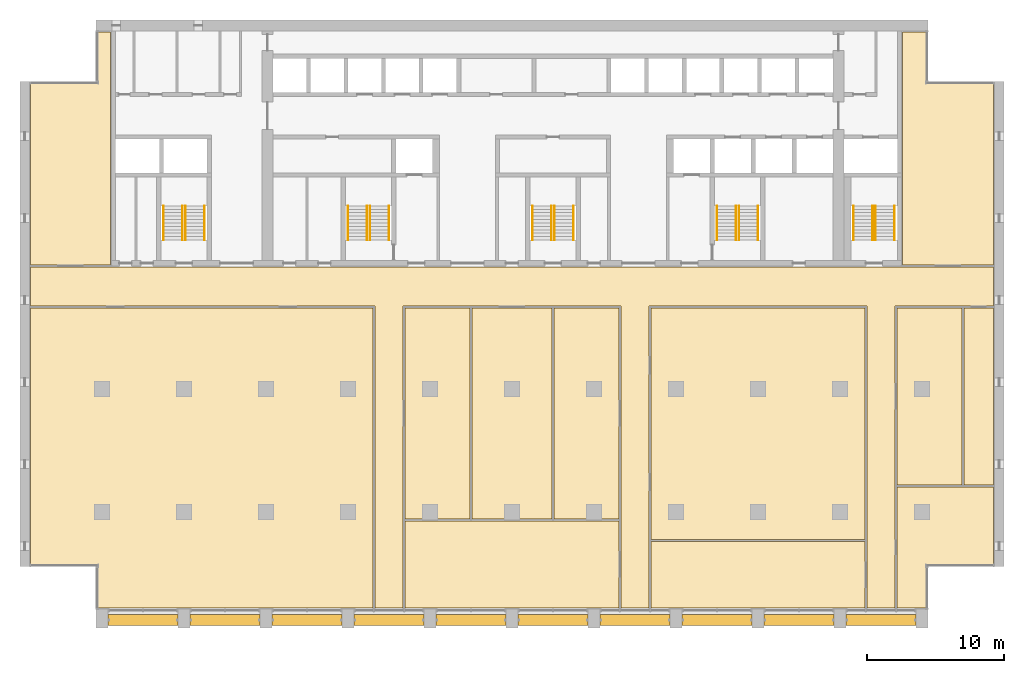
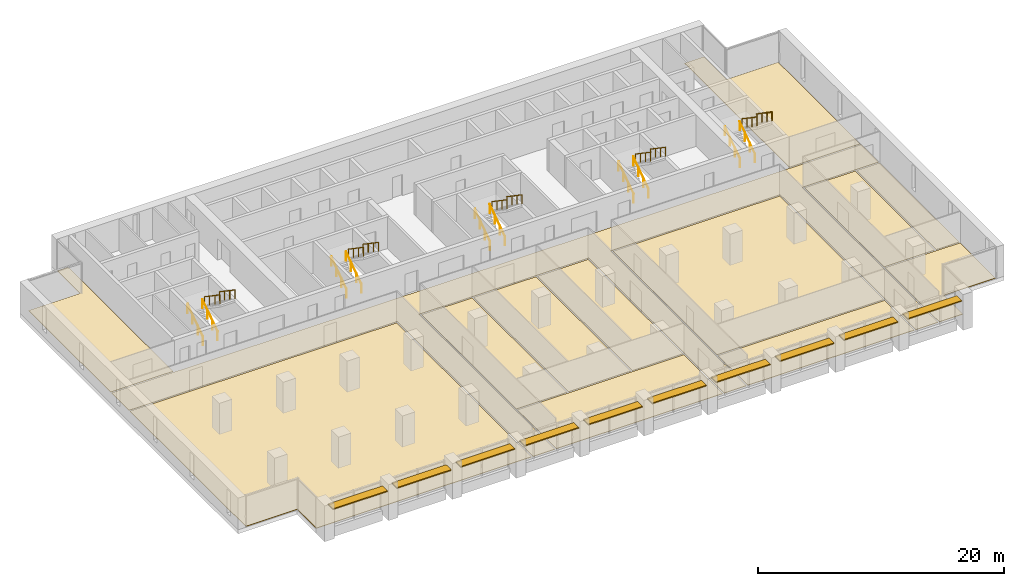
# One storey, part 15 of 15: 20 railings, 13 coverings, 10 shading devices, 5 elements without a shape of their own.
"""IFC4 building model written with IfcOpenShell, lengths in metres."""

import ifcopenshell
import ifcopenshell.guid

model = None  # the IFC model being written
_history = None  # IfcOwnerHistory: only IFC2X3 demands one
_inside = {}  # id of a spatial element -> (the spatial element, [elements in it])
_under = {}  # id of a project, library or spatial element -> (it, [spatial elements below it])
_declared = {}  # id of a project -> (the project, [libraries it declares])
_typed = {}  # id of a type object -> (the type object, [elements of that type])
_made_of = {}  # id of a material, layer set ... -> (it, [elements and type objects made of it])


def new_model(schema):
    """Start an empty IFC model of exactly this schema.

    Asked for "IFC4X3", IfcOpenShell would pick the latest addendum, in which some entities
    have other attributes; the version numbers below select the first issue.
    IFC2X3 requires an IfcOwnerHistory on every rooted entity: one is made here for all.
    """
    global model, _history
    if schema == "IFC4X3":
        model = ifcopenshell.file(schema_version=(4, 3, 0, 0))
    else:
        model = ifcopenshell.file(schema=schema)
    _inside.clear()
    _under.clear()
    _declared.clear()
    _typed.clear()
    _made_of.clear()
    _history = None
    if model.schema == "IFC2X3":
        org = make("IfcOrganization", Name="unknown")
        user = make(
            "IfcPersonAndOrganization",
            ThePerson=make("IfcPerson", FamilyName="unknown"),
            TheOrganization=org,
        )
        app = make(
            "IfcApplication",
            ApplicationDeveloper=org,
            Version="unknown",
            ApplicationFullName="unknown",
            ApplicationIdentifier="unknown",
        )
        _history = make(
            "IfcOwnerHistory",
            OwningUser=user,
            OwningApplication=app,
            ChangeAction="ADDED",
            CreationDate=0,
        )
    return model


def make(cls, **values):
    """One entity of the class cls with the attributes given. An attribute that is None is left unset."""
    return model.create_entity(
        cls, **{name: value for name, value in values.items() if value is not None}
    )


def rooted(cls, **values):
    """An entity with a GlobalId (a new one), such as an element, a storey or a relation."""
    return make(cls, GlobalId=ifcopenshell.guid.new(), OwnerHistory=_history, **values)


def si_unit(unit_type, name, prefix=None):
    """IfcSIUnit, for example si_unit("LENGTHUNIT", "METRE", prefix="MILLI")."""
    return make("IfcSIUnit", UnitType=unit_type, Prefix=prefix, Name=name)


def assignment(units):
    """IfcUnitAssignment: the units of a project."""
    return None if units is None else make("IfcUnitAssignment", Units=units)


def point(xyz):
    """IfcCartesianPoint."""
    return None if xyz is None else make("IfcCartesianPoint", Coordinates=xyz)


def direction(xyz):
    """IfcDirection."""
    return None if xyz is None else make("IfcDirection", DirectionRatios=xyz)


def frame(location, z_axis=None, x_axis=None):
    """IfcAxis2Placement3D, a coordinate frame: its origin and axes. An axis left out is left unset."""
    return make(
        "IfcAxis2Placement3D",
        Location=point(location),
        Axis=direction(z_axis),
        RefDirection=direction(x_axis),
    )


def frame_2d(location, x_axis=None):
    """IfcAxis2Placement2D, a coordinate frame in the plane: its origin and x axis."""
    return make(
        "IfcAxis2Placement2D", Location=point(location), RefDirection=direction(x_axis)
    )


def origin():
    """The frame at (0, 0, 0) with its axes left unset."""
    return frame((0.0, 0.0, 0.0))


def origin_2d():
    """The frame at (0, 0) in the plane with its x axis left unset."""
    return frame_2d((0.0, 0.0))


def place(relative_to, where):
    """IfcLocalPlacement: puts the frame where relative to a parent placement (None: the world)."""
    return make(
        "IfcLocalPlacement", PlacementRelTo=relative_to, RelativePlacement=where
    )


def context(
    kind, dimensions, precision=None, world=None, true_north=None, identifier=None
):
    """IfcGeometricRepresentationContext, for example the 3D "Model" context."""
    return make(
        "IfcGeometricRepresentationContext",
        ContextIdentifier=identifier,
        ContextType=kind,
        CoordinateSpaceDimension=dimensions,
        Precision=precision,
        WorldCoordinateSystem=world,
        TrueNorth=true_north,
    )


def subcontext(parent, identifier, kind, view, scale=None):
    """IfcGeometricRepresentationSubContext, for example "Body" below "Model"."""
    return make(
        "IfcGeometricRepresentationSubContext",
        ContextIdentifier=identifier,
        ContextType=kind,
        ParentContext=parent,
        TargetScale=scale,
        TargetView=view,
    )


def project(units=None, contexts=None):
    """IfcProject with its units and contexts."""
    return rooted(
        "IfcProject",
        Name="project",
        RepresentationContexts=contexts,
        UnitsInContext=assignment(units),
    )


def spatial(cls, under=None, at=None, **own):
    """A site, building, storey or space (cls), placed at a placement, below another one or the project."""
    s = rooted(cls, ObjectPlacement=at, **own)
    if under is not None:
        _under.setdefault(under.id(), (under, []))[1].append(s)
    return s


def polyline(points):
    """IfcPolyline through the points."""
    return make("IfcPolyline", Points=[point(p) for p in points])


def profile(cls, at=None, kind="AREA", **sizes):
    """A parametric profile (cls). Its sizes go by their IFC names, for example OverallWidth=200.0."""
    return make(cls, ProfileType=kind, Position=at, **sizes)


def rectangle(**sizes):
    """IfcRectangleProfileDef."""
    return profile("IfcRectangleProfileDef", **sizes)


def circle(**sizes):
    """IfcCircleProfileDef."""
    return profile("IfcCircleProfileDef", **sizes)


def outline(outer, holes=None, kind="AREA"):
    """IfcArbitraryClosedProfileDef: a profile drawn as a closed curve; with holes, ...WithVoids."""
    if holes is None:
        return make("IfcArbitraryClosedProfileDef", ProfileType=kind, OuterCurve=outer)
    return make(
        "IfcArbitraryProfileDefWithVoids",
        ProfileType=kind,
        OuterCurve=outer,
        InnerCurves=holes,
    )


def extrude(swept, where, along, depth):
    """IfcExtrudedAreaSolid: the profile swept, set in the frame where, extruded along a direction by depth."""
    return make(
        "IfcExtrudedAreaSolid",
        SweptArea=swept,
        Position=where,
        ExtrudedDirection=direction(along),
        Depth=depth,
    )


def shape(context_of_items, identifier, shape_type, items):
    """IfcShapeRepresentation: the items that make up one representation, for example the "Body"."""
    return make(
        "IfcShapeRepresentation",
        ContextOfItems=context_of_items,
        RepresentationIdentifier=identifier,
        RepresentationType=shape_type,
        Items=items,
    )


def material(Name=None, Category=None):
    """IfcMaterial."""
    return make("IfcMaterial", Name=Name, Category=Category)


def layer(
    of_material, thickness, ventilated=None, Name=None, Category=None, Priority=None
):
    """IfcMaterialLayer: one layer of a wall or slab, of a material (None: an air gap)."""
    return make(
        "IfcMaterialLayer",
        Material=of_material,
        LayerThickness=thickness,
        IsVentilated=ventilated,
        Name=Name,
        Category=Category,
        Priority=Priority,
    )


def layer_set(layers, Name=None):
    """IfcMaterialLayerSet."""
    return make("IfcMaterialLayerSet", MaterialLayers=layers, LayerSetName=Name)


def material_profile(
    of_material, cross_section, Name=None, Category=None, Priority=None
):
    """IfcMaterialProfile: a cross section and its material."""
    return make(
        "IfcMaterialProfile",
        Name=Name,
        Material=of_material,
        Profile=cross_section,
        Priority=Priority,
        Category=Category,
    )


def profile_set(profiles, Name=None, composite=None):
    """IfcMaterialProfileSet."""
    return make(
        "IfcMaterialProfileSet",
        Name=Name,
        MaterialProfiles=profiles,
        CompositeProfile=composite,
    )


def made_of(thing, what):
    """Note that an element or type object is made of a material, layer set ...; save() writes the relation."""
    if what is not None:
        _made_of.setdefault(what.id(), (what, []))[1].append(thing)
    return thing


def type_object(cls, material=None, **own):
    """A type object (cls), such as IfcWallType, which elements share."""
    return made_of(rooted(cls, **own), material)


def element(
    cls,
    number,
    at=None,
    inside=None,
    cuts=None,
    type_object=None,
    material=None,
    context=None,
    identifier="Body",
    shape_type=None,
    held_by="IfcProductDefinitionShape",
    body=None,
    shapes=None,
    **own,
):
    """One element of the class cls, such as IfcWall. Its Tag is "e" and its number.

    at: its placement. inside: the storey or other place that contains it. cuts: it is an
    opening in that element (IfcRelVoidsElement). A single representation is given by context,
    identifier, shape_type and body (its items); several are given by shapes. held_by: the class
    of the entity that holds the representations. save() writes the other relations.
    """
    e = rooted(cls, Tag="e%d" % number, ObjectPlacement=at, **own)
    if body is not None:
        shapes = [shape(context, identifier, shape_type, body)]
    if shapes is not None:
        e.Representation = make(held_by, Representations=shapes)
    if inside is not None:
        _inside.setdefault(inside.id(), (inside, []))[1].append(e)
    if cuts is not None:
        rooted(
            "IfcRelVoidsElement", RelatingBuildingElement=cuts, RelatedOpeningElement=e
        )
    if type_object is not None:
        _typed.setdefault(type_object.id(), (type_object, []))[1].append(e)
    return made_of(e, material)


def aggregate(whole, parts):
    """IfcRelAggregates: a whole, such as a stair, and the parts it consists of."""
    return rooted("IfcRelAggregates", RelatingObject=whole, RelatedObjects=parts)


def save(model, path):
    """Write the relations noted so far, then the file.

    IfcRelAggregates (storeys below a building ...), IfcRelContainedInSpatialStructure (elements
    in a storey), IfcRelDefinesByType, IfcRelAssociatesMaterial and IfcRelDeclares: one each for
    every whole, place, type object, material and project.
    """
    for whole, parts in _under.values():
        aggregate(whole, parts)
    for where, things in _inside.values():
        rooted(
            "IfcRelContainedInSpatialStructure",
            RelatedElements=things,
            RelatingStructure=where,
        )
    for kind, things in _typed.values():
        rooted("IfcRelDefinesByType", RelatedObjects=things, RelatingType=kind)
    for what, things in _made_of.values():
        rooted("IfcRelAssociatesMaterial", RelatedObjects=things, RelatingMaterial=what)
    for by, libraries in _declared.values():
        rooted("IfcRelDeclares", RelatingContext=by, RelatedDefinitions=libraries)
    model.write(path)


model = new_model("IFC4")

# Units and contexts
model_context = context("Model", 3, precision=1e-05, world=origin(), true_north=direction((0.0, 1.0)))
body_context = subcontext(model_context, "Body", "Model", "MODEL_VIEW")
ifc_project = project(units=[si_unit("LENGTHUNIT", "METRE"), si_unit("AREAUNIT", "SQUARE_METRE"), si_unit("VOLUMEUNIT", "CUBIC_METRE"), si_unit("PLANEANGLEUNIT", "RADIAN"), si_unit("MASSUNIT", "GRAM", prefix="KILO")], contexts=[model_context])

# Site, building, storey
site_placement = place(None, origin())
site = spatial("IfcSite", under=ifc_project, at=site_placement, CompositionType="ELEMENT")
building_placement = place(site_placement, origin())
building = spatial("IfcBuilding", under=site, at=building_placement, Name="Calvaro Tower", CompositionType="ELEMENT")
storey_placement = place(building_placement, frame((0.0, 0.0, 155.0)))
storey = spatial("IfcBuildingStorey", under=building, at=storey_placement, Name="L39", CompositionType="ELEMENT", Elevation=155.0)

# Shading devices
ifc_material_1 = material(Name="Anodised aluminium", Category="aluminium")
ifc_material_profile = material_profile(ifc_material_1, rectangle(XDim=0.800048828125, YDim=0.10009765625, at=origin_2d()), Name="Brise-soleil blade 800 x 100")
ifc_profile_set = profile_set([ifc_material_profile], Name="Anodised aluminium")
shading_device_type = type_object("IfcShadingDeviceType", Name="Brise-soleil blade 800 x 100", PredefinedType="JALOUSIE", material=ifc_profile_set)
for number, where, z_axis, x_axis, name in (
    (1, (6.449951171875, 2.10009765625, 2.39990234375), (1.0, 0.0, 0.0), (0.0, 1.0, 0.0), "Brise-soleil blade 1"),
    (2, (12.449951171875, 2.10009765625, 2.39990234375), (1.0, 0.0, 0.0), (0.0, 1.0, 0.0), "Brise-soleil blade 2"),
    (3, (18.449951171875, 2.10009765625, 2.39990234375), (1.0, 0.0, 0.0), (0.0, 1.0, 0.0), "Brise-soleil blade 3"),
    (4, (24.449951171875, 2.10009765625, 2.39990234375), (1.0, 0.0, 0.0), (0.0, 1.0, 0.0), "Brise-soleil blade 4"),
    (5, (30.449951171875, 2.10009765625, 2.39990234375), (1.0, 0.0, 0.0), (0.0, 1.0, 0.0), "Brise-soleil blade 5"),
    (6, (36.449951171875, 2.10009765625, 2.39990234375), (1.0, 0.0, 0.0), (0.0, 1.0, 0.0), "Brise-soleil blade 6"),
    (7, (42.449951171875, 2.10009765625, 2.39990234375), (1.0, 0.0, 0.0), (0.0, 1.0, 0.0), "Brise-soleil blade 7"),
    (8, (48.449951171875, 2.10009765625, 2.39990234375), (1.0, 0.0, 0.0), (0.0, 1.0, 0.0), "Brise-soleil blade 8"),
    (9, (54.449951171875, 2.10009765625, 2.39990234375), (1.0, 0.0, 0.0), (0.0, 1.0, 0.0), "Brise-soleil blade 9"),
    (10, (60.449951171875, 2.10009765625, 2.39990234375), (1.0, 0.0, 0.0), (0.0, 1.0, 0.0), "Brise-soleil blade 10"),
):
    element("IfcShadingDevice", number, at=place(storey_placement, frame(where, z_axis=z_axis, x_axis=x_axis)), inside=storey, type_object=shading_device_type, Name=name, PredefinedType="JALOUSIE", context=body_context, shape_type="SweptSolid", body=[
        extrude(rectangle(XDim=0.800048828125, YDim=0.10009765625, at=origin_2d()), origin(), (0.0, 0.0, 1.0), 5.10009765625),
    ])

# Coverings
ifc_material_2 = material(Name="Cement screed with carpet tile finish")
ifc_layer = layer(ifc_material_2, 0.050048828125)
ifc_layer_set = layer_set([ifc_layer], Name="Cement screed with carpet tile finish")
covering_type = type_object("IfcCoveringType", Name="Floor finish 50", PredefinedType="FLOORING", material=ifc_layer_set)
covering_1_placement = place(storey_placement, origin())
element("IfcCovering", 11, at=covering_1_placement, inside=storey, type_object=covering_type, Name="Floor finish 23.01", PredefinedType="FLOORING", context=body_context, shape_type="SweptSolid", body=[
    extrude(outline(polyline([(0.77001953125, 25.070068359375), (0.77001953125, 27.929931640625), (71.22998046875, 27.929931640625), (71.22998046875, 25.070068359375), (64.030029296875, 25.070068359375), (64.030029296875, 2.969970703125), (61.969970703125, 2.969970703125), (61.969970703125, 25.070068359375), (46.030029296875, 25.070068359375), (46.030029296875, 2.969970703125), (43.969970703125, 2.969970703125), (43.969970703125, 25.070068359375), (28.030029296875, 25.070068359375), (28.030029296875, 2.969970703125), (25.969970703125, 2.969970703125), (25.969970703125, 25.070068359375), (0.77001953125, 25.070068359375)])), origin(), (0.0, 0.0, 1.0), 0.050048828125),
])
covering_2_placement = place(storey_placement, origin())
element("IfcCovering", 12, at=covering_2_placement, inside=storey, type_object=covering_type, Name="Floor finish 23.05", PredefinedType="FLOORING", context=body_context, shape_type="SweptSolid", body=[
    extrude(outline(polyline([(25.830078125, 24.929931640625), (25.830078125, 2.969970703125), (5.6201171875, 2.969970703125), (5.6201171875, 6.070068359375), (0.77001953125, 6.070068359375), (0.77001953125, 24.929931640625), (25.830078125, 24.929931640625)])), origin(), (0.0, 0.0, 1.0), 0.050048828125),
])
covering_3_placement = place(storey_placement, origin())
element("IfcCovering", 13, at=covering_3_placement, inside=storey, type_object=covering_type, Name="Floor finish 23.03", PredefinedType="FLOORING", context=body_context, shape_type="SweptSolid", body=[
    extrude(outline(polyline([(28.169921875, 9.330078125), (43.830078125, 9.330078125), (43.830078125, 2.969970703125), (28.169921875, 2.969970703125), (28.169921875, 9.330078125)])), origin(), (0.0, 0.0, 1.0), 0.050048828125),
])
covering_4_placement = place(storey_placement, origin())
element("IfcCovering", 14, at=covering_4_placement, inside=storey, type_object=covering_type, Name="Floor finish 23.07", PredefinedType="FLOORING", context=body_context, shape_type="SweptSolid", body=[
    extrude(outline(polyline([(28.169921875, 9.469970703125), (28.169921875, 24.929931640625), (32.929931640625, 24.929931640625), (32.929931640625, 9.469970703125), (28.169921875, 9.469970703125)])), origin(), (0.0, 0.0, 1.0), 0.050048828125),
])
covering_5_placement = place(storey_placement, origin())
element("IfcCovering", 15, at=covering_5_placement, inside=storey, type_object=covering_type, Name="Floor finish 23.08", PredefinedType="FLOORING", context=body_context, shape_type="SweptSolid", body=[
    extrude(outline(polyline([(33.070068359375, 9.469970703125), (33.070068359375, 24.929931640625), (38.929931640625, 24.929931640625), (38.929931640625, 9.469970703125), (33.070068359375, 9.469970703125)])), origin(), (0.0, 0.0, 1.0), 0.050048828125),
])
covering_6_placement = place(storey_placement, origin())
element("IfcCovering", 16, at=covering_6_placement, inside=storey, type_object=covering_type, Name="Floor finish 23.09", PredefinedType="FLOORING", context=body_context, shape_type="SweptSolid", body=[
    extrude(outline(polyline([(39.070068359375, 9.469970703125), (39.070068359375, 24.929931640625), (43.830078125, 24.929931640625), (43.830078125, 9.469970703125), (39.070068359375, 9.469970703125)])), origin(), (0.0, 0.0, 1.0), 0.050048828125),
])
covering_7_placement = place(storey_placement, origin())
element("IfcCovering", 17, at=covering_7_placement, inside=storey, type_object=covering_type, Name="Floor finish 23.02", PredefinedType="FLOORING", context=body_context, shape_type="SweptSolid", body=[
    extrude(outline(polyline([(46.169921875, 7.830078125), (61.830078125, 7.830078125), (61.830078125, 2.969970703125), (46.169921875, 2.969970703125), (46.169921875, 7.830078125)])), origin(), (0.0, 0.0, 1.0), 0.050048828125),
])
covering_8_placement = place(storey_placement, origin())
element("IfcCovering", 18, at=covering_8_placement, inside=storey, type_object=covering_type, Name="Floor finish 23.06", PredefinedType="FLOORING", context=body_context, shape_type="SweptSolid", body=[
    extrude(outline(polyline([(46.169921875, 7.969970703125), (46.169921875, 24.929931640625), (61.830078125, 24.929931640625), (61.830078125, 7.969970703125), (46.169921875, 7.969970703125)])), origin(), (0.0, 0.0, 1.0), 0.050048828125),
])
covering_9_placement = place(storey_placement, origin())
element("IfcCovering", 19, at=covering_9_placement, inside=storey, type_object=covering_type, Name="Floor finish 23.04", PredefinedType="FLOORING", context=body_context, shape_type="SweptSolid", body=[
    extrude(outline(polyline([(71.22998046875, 6.070068359375), (66.3798828125, 6.070068359375), (66.3798828125, 2.969970703125), (64.169921875, 2.969970703125), (64.169921875, 11.830078125), (71.22998046875, 11.830078125), (71.22998046875, 6.070068359375)])), origin(), (0.0, 0.0, 1.0), 0.050048828125),
])
covering_10_placement = place(storey_placement, origin())
element("IfcCovering", 20, at=covering_10_placement, inside=storey, type_object=covering_type, Name="Floor finish 23.10", PredefinedType="FLOORING", context=body_context, shape_type="SweptSolid", body=[
    extrude(outline(polyline([(64.169921875, 11.969970703125), (64.169921875, 24.929931640625), (68.929931640625, 24.929931640625), (68.929931640625, 11.969970703125), (64.169921875, 11.969970703125)])), origin(), (0.0, 0.0, 1.0), 0.050048828125),
])
covering_11_placement = place(storey_placement, origin())
element("IfcCovering", 21, at=covering_11_placement, inside=storey, type_object=covering_type, Name="Floor finish 23.11", PredefinedType="FLOORING", context=body_context, shape_type="SweptSolid", body=[
    extrude(outline(polyline([(71.22998046875, 11.969970703125), (69.070068359375, 11.969970703125), (69.070068359375, 24.929931640625), (71.22998046875, 24.929931640625), (71.22998046875, 11.969970703125)])), origin(), (0.0, 0.0, 1.0), 0.050048828125),
])
covering_12_placement = place(storey_placement, origin())
element("IfcCovering", 22, at=covering_12_placement, inside=storey, type_object=covering_type, Name="Floor finish 23.12", PredefinedType="FLOORING", context=body_context, shape_type="SweptSolid", body=[
    extrude(outline(polyline([(6.6298828125, 28.070068359375), (0.77001953125, 28.070068359375), (0.77001953125, 41.429931640625), (5.6201171875, 41.429931640625), (5.6201171875, 45.1298828125), (6.6298828125, 45.1298828125), (6.6298828125, 28.070068359375)])), origin(), (0.0, 0.0, 1.0), 0.050048828125),
])
covering_13_placement = place(storey_placement, origin())
element("IfcCovering", 23, at=covering_13_placement, inside=storey, type_object=covering_type, Name="Floor finish 23.13", PredefinedType="FLOORING", context=body_context, shape_type="SweptSolid", body=[
    extrude(outline(polyline([(71.22998046875, 28.070068359375), (64.570068359375, 28.070068359375), (64.570068359375, 45.1298828125), (66.3798828125, 45.1298828125), (66.3798828125, 41.429931640625), (71.22998046875, 41.429931640625), (71.22998046875, 28.070068359375)])), origin(), (0.0, 0.0, 1.0), 0.050048828125),
])

# Stair, railings
ifc_material_3 = material(Name="Concrete C40/50", Category="concrete")
stair_type = type_object("IfcStairType", Name="Exit stair 1400 2 flights", PredefinedType="HALF_TURN_STAIR", material=ifc_material_3)
stair_1_placement = place(storey_placement, origin())
stair_1 = element("IfcStair", 24, at=stair_1_placement, inside=storey, type_object=stair_type, Name="Exit stair S1", PredefinedType="HALF_TURN_STAIR")
ifc_material_4 = material(Name="Stainless steel", Category="steel")
railing_type = type_object("IfcRailingType", Name="Stair handrail", PredefinedType="HANDRAIL", material=ifc_material_4)
railing_1_placement = place(storey_placement, frame((11.89990234375, 29.89990234375, 0.17041015625)))
railing_1 = element("IfcRailing", 25, at=railing_1_placement, type_object=railing_type, Name="Exit stair 1 handrail", PredefinedType="HANDRAIL", context=body_context, shape_type="SweptSolid", body=[
    extrude(circle(Radius=0.02392578125, at=origin_2d()), frame((0.0, 0.0, 0.8759765625), z_axis=(0.0, 0.826220514629, 0.563346839174), x_axis=(-1.0, 0.0, 0.0)), (0.0, 0.0, 1.0), 3.02587890625),
    extrude(circle(Radius=0.02099609375, at=origin_2d()), frame((0.0, 0.017333984375, 0.01171875)), (0.0, 0.0, 1.0), 0.851806640625),
    extrude(circle(Radius=0.02099609375, at=origin_2d()), frame((0.0, 0.833251953125, 0.568115234375)), (0.0, 0.0, 1.0), 0.851806640625),
    extrude(circle(Radius=0.02099609375, at=origin_2d()), frame((0.0, 1.666748046875, 1.136474609375)), (0.0, 0.0, 1.0), 0.851806640625),
    extrude(circle(Radius=0.02099609375, at=origin_2d()), frame((0.0, 2.482666015625, 1.69287109375)), (0.0, 0.0, 1.0), 0.851806640625),
])
railing_2_placement = place(storey_placement, frame((10.5, 29.89990234375, 0.17041015625)))
railing_2 = element("IfcRailing", 26, at=railing_2_placement, type_object=railing_type, Name="Exit stair 1 handrail", PredefinedType="HANDRAIL", context=body_context, shape_type="SweptSolid", body=[
    extrude(circle(Radius=0.02392578125, at=origin_2d()), frame((0.0, 0.0, 0.8759765625), z_axis=(0.0, 0.826220514629, 0.563346839174), x_axis=(-1.0, 0.0, 0.0)), (0.0, 0.0, 1.0), 3.02587890625),
    extrude(circle(Radius=0.02099609375, at=origin_2d()), frame((0.0, 0.017333984375, 0.01171875)), (0.0, 0.0, 1.0), 0.851806640625),
    extrude(circle(Radius=0.02099609375, at=origin_2d()), frame((0.0, 0.833251953125, 0.568115234375)), (0.0, 0.0, 1.0), 0.851806640625),
    extrude(circle(Radius=0.02099609375, at=origin_2d()), frame((0.0, 1.666748046875, 1.136474609375)), (0.0, 0.0, 1.0), 0.851806640625),
    extrude(circle(Radius=0.02099609375, at=origin_2d()), frame((0.0, 2.482666015625, 1.69287109375)), (0.0, 0.0, 1.0), 0.851806640625),
])
railing_3_placement = place(storey_placement, frame((12.10009765625, 32.39990234375, 2.04541015625)))
railing_3 = element("IfcRailing", 27, at=railing_3_placement, type_object=railing_type, Name="Exit stair 1 handrail", PredefinedType="HANDRAIL", context=body_context, shape_type="SweptSolid", body=[
    extrude(circle(Radius=0.02392578125, at=origin_2d()), frame((0.0, 0.0, 0.8759765625), z_axis=(0.0, -0.826220514629, 0.563346839174), x_axis=(1.0, 0.0, 0.0)), (0.0, 0.0, 1.0), 3.02587890625),
    extrude(circle(Radius=0.02099609375, at=origin_2d()), frame((0.0, -0.017333984375, 0.01171875)), (0.0, 0.0, 1.0), 0.851806640625),
    extrude(circle(Radius=0.02099609375, at=origin_2d()), frame((0.0, -0.833251953125, 0.568115234375)), (0.0, 0.0, 1.0), 0.851806640625),
    extrude(circle(Radius=0.02099609375, at=origin_2d()), frame((0.0, -1.666748046875, 1.136474609375)), (0.0, 0.0, 1.0), 0.851806640625),
    extrude(circle(Radius=0.02099609375, at=origin_2d()), frame((0.0, -2.482666015625, 1.69287109375)), (0.0, 0.0, 1.0), 0.851806640625),
])
railing_4_placement = place(storey_placement, frame((13.5, 32.39990234375, 2.04541015625)))
railing_4 = element("IfcRailing", 28, at=railing_4_placement, type_object=railing_type, Name="Exit stair 1 handrail", PredefinedType="HANDRAIL", context=body_context, shape_type="SweptSolid", body=[
    extrude(circle(Radius=0.02392578125, at=origin_2d()), frame((0.0, 0.0, 0.8759765625), z_axis=(0.0, -0.826220514629, 0.563346839174), x_axis=(1.0, 0.0, 0.0)), (0.0, 0.0, 1.0), 3.02587890625),
    extrude(circle(Radius=0.02099609375, at=origin_2d()), frame((0.0, -0.017333984375, 0.01171875)), (0.0, 0.0, 1.0), 0.851806640625),
    extrude(circle(Radius=0.02099609375, at=origin_2d()), frame((0.0, -0.833251953125, 0.568115234375)), (0.0, 0.0, 1.0), 0.851806640625),
    extrude(circle(Radius=0.02099609375, at=origin_2d()), frame((0.0, -1.666748046875, 1.136474609375)), (0.0, 0.0, 1.0), 0.851806640625),
    extrude(circle(Radius=0.02099609375, at=origin_2d()), frame((0.0, -2.482666015625, 1.69287109375)), (0.0, 0.0, 1.0), 0.851806640625),
])
aggregate(stair_1, [railing_1, railing_2, railing_3, railing_4])

stair_2_placement = place(storey_placement, origin())
stair_2 = element("IfcStair", 29, at=stair_2_placement, inside=storey, type_object=stair_type, Name="Exit stair S2", PredefinedType="HALF_TURN_STAIR")
railing_5_placement = place(storey_placement, frame((25.39990234375, 29.89990234375, 0.17041015625)))
railing_5 = element("IfcRailing", 30, at=railing_5_placement, type_object=railing_type, Name="Exit stair 2 handrail", PredefinedType="HANDRAIL", context=body_context, shape_type="SweptSolid", body=[
    extrude(circle(Radius=0.02392578125, at=origin_2d()), frame((0.0, 0.0, 0.8759765625), z_axis=(0.0, 0.826220514629, 0.563346839174), x_axis=(-1.0, 0.0, 0.0)), (0.0, 0.0, 1.0), 3.02587890625),
    extrude(circle(Radius=0.02099609375, at=origin_2d()), frame((0.0, 0.017333984375, 0.01171875)), (0.0, 0.0, 1.0), 0.851806640625),
    extrude(circle(Radius=0.02099609375, at=origin_2d()), frame((0.0, 0.833251953125, 0.568115234375)), (0.0, 0.0, 1.0), 0.851806640625),
    extrude(circle(Radius=0.02099609375, at=origin_2d()), frame((0.0, 1.666748046875, 1.136474609375)), (0.0, 0.0, 1.0), 0.851806640625),
    extrude(circle(Radius=0.02099609375, at=origin_2d()), frame((0.0, 2.482666015625, 1.69287109375)), (0.0, 0.0, 1.0), 0.851806640625),
])
railing_6_placement = place(storey_placement, frame((24.0, 29.89990234375, 0.17041015625)))
railing_6 = element("IfcRailing", 31, at=railing_6_placement, type_object=railing_type, Name="Exit stair 2 handrail", PredefinedType="HANDRAIL", context=body_context, shape_type="SweptSolid", body=[
    extrude(circle(Radius=0.02392578125, at=origin_2d()), frame((0.0, 0.0, 0.8759765625), z_axis=(0.0, 0.826220514629, 0.563346839174), x_axis=(-1.0, 0.0, 0.0)), (0.0, 0.0, 1.0), 3.02587890625),
    extrude(circle(Radius=0.02099609375, at=origin_2d()), frame((0.0, 0.017333984375, 0.01171875)), (0.0, 0.0, 1.0), 0.851806640625),
    extrude(circle(Radius=0.02099609375, at=origin_2d()), frame((0.0, 0.833251953125, 0.568115234375)), (0.0, 0.0, 1.0), 0.851806640625),
    extrude(circle(Radius=0.02099609375, at=origin_2d()), frame((0.0, 1.666748046875, 1.136474609375)), (0.0, 0.0, 1.0), 0.851806640625),
    extrude(circle(Radius=0.02099609375, at=origin_2d()), frame((0.0, 2.482666015625, 1.69287109375)), (0.0, 0.0, 1.0), 0.851806640625),
])
railing_7_placement = place(storey_placement, frame((25.60009765625, 32.39990234375, 2.04541015625)))
railing_7 = element("IfcRailing", 32, at=railing_7_placement, type_object=railing_type, Name="Exit stair 2 handrail", PredefinedType="HANDRAIL", context=body_context, shape_type="SweptSolid", body=[
    extrude(circle(Radius=0.02392578125, at=origin_2d()), frame((0.0, 0.0, 0.8759765625), z_axis=(0.0, -0.826220514629, 0.563346839174), x_axis=(1.0, 0.0, 0.0)), (0.0, 0.0, 1.0), 3.02587890625),
    extrude(circle(Radius=0.02099609375, at=origin_2d()), frame((0.0, -0.017333984375, 0.01171875)), (0.0, 0.0, 1.0), 0.851806640625),
    extrude(circle(Radius=0.02099609375, at=origin_2d()), frame((0.0, -0.833251953125, 0.568115234375)), (0.0, 0.0, 1.0), 0.851806640625),
    extrude(circle(Radius=0.02099609375, at=origin_2d()), frame((0.0, -1.666748046875, 1.136474609375)), (0.0, 0.0, 1.0), 0.851806640625),
    extrude(circle(Radius=0.02099609375, at=origin_2d()), frame((0.0, -2.482666015625, 1.69287109375)), (0.0, 0.0, 1.0), 0.851806640625),
])
railing_8_placement = place(storey_placement, frame((27.0, 32.39990234375, 2.04541015625)))
railing_8 = element("IfcRailing", 33, at=railing_8_placement, type_object=railing_type, Name="Exit stair 2 handrail", PredefinedType="HANDRAIL", context=body_context, shape_type="SweptSolid", body=[
    extrude(circle(Radius=0.02392578125, at=origin_2d()), frame((0.0, 0.0, 0.8759765625), z_axis=(0.0, -0.826220514629, 0.563346839174), x_axis=(1.0, 0.0, 0.0)), (0.0, 0.0, 1.0), 3.02587890625),
    extrude(circle(Radius=0.02099609375, at=origin_2d()), frame((0.0, -0.017333984375, 0.01171875)), (0.0, 0.0, 1.0), 0.851806640625),
    extrude(circle(Radius=0.02099609375, at=origin_2d()), frame((0.0, -0.833251953125, 0.568115234375)), (0.0, 0.0, 1.0), 0.851806640625),
    extrude(circle(Radius=0.02099609375, at=origin_2d()), frame((0.0, -1.666748046875, 1.136474609375)), (0.0, 0.0, 1.0), 0.851806640625),
    extrude(circle(Radius=0.02099609375, at=origin_2d()), frame((0.0, -2.482666015625, 1.69287109375)), (0.0, 0.0, 1.0), 0.851806640625),
])
aggregate(stair_2, [railing_5, railing_6, railing_7, railing_8])

stair_3_placement = place(storey_placement, origin())
stair_3 = element("IfcStair", 34, at=stair_3_placement, inside=storey, type_object=stair_type, Name="Exit stair S3", PredefinedType="HALF_TURN_STAIR")
railing_9_placement = place(storey_placement, frame((38.89990234375, 29.89990234375, 0.17041015625)))
railing_9 = element("IfcRailing", 35, at=railing_9_placement, type_object=railing_type, Name="Exit stair 3 handrail", PredefinedType="HANDRAIL", context=body_context, shape_type="SweptSolid", body=[
    extrude(circle(Radius=0.02392578125, at=origin_2d()), frame((0.0, 0.0, 0.8759765625), z_axis=(0.0, 0.826220514629, 0.563346839174), x_axis=(-1.0, 0.0, 0.0)), (0.0, 0.0, 1.0), 3.02587890625),
    extrude(circle(Radius=0.02099609375, at=origin_2d()), frame((0.0, 0.017333984375, 0.01171875)), (0.0, 0.0, 1.0), 0.851806640625),
    extrude(circle(Radius=0.02099609375, at=origin_2d()), frame((0.0, 0.833251953125, 0.568115234375)), (0.0, 0.0, 1.0), 0.851806640625),
    extrude(circle(Radius=0.02099609375, at=origin_2d()), frame((0.0, 1.666748046875, 1.136474609375)), (0.0, 0.0, 1.0), 0.851806640625),
    extrude(circle(Radius=0.02099609375, at=origin_2d()), frame((0.0, 2.482666015625, 1.69287109375)), (0.0, 0.0, 1.0), 0.851806640625),
])
railing_10_placement = place(storey_placement, frame((37.5, 29.89990234375, 0.17041015625)))
railing_10 = element("IfcRailing", 36, at=railing_10_placement, type_object=railing_type, Name="Exit stair 3 handrail", PredefinedType="HANDRAIL", context=body_context, shape_type="SweptSolid", body=[
    extrude(circle(Radius=0.02392578125, at=origin_2d()), frame((0.0, 0.0, 0.8759765625), z_axis=(0.0, 0.826220514629, 0.563346839174), x_axis=(-1.0, 0.0, 0.0)), (0.0, 0.0, 1.0), 3.02587890625),
    extrude(circle(Radius=0.02099609375, at=origin_2d()), frame((0.0, 0.017333984375, 0.01171875)), (0.0, 0.0, 1.0), 0.851806640625),
    extrude(circle(Radius=0.02099609375, at=origin_2d()), frame((0.0, 0.833251953125, 0.568115234375)), (0.0, 0.0, 1.0), 0.851806640625),
    extrude(circle(Radius=0.02099609375, at=origin_2d()), frame((0.0, 1.666748046875, 1.136474609375)), (0.0, 0.0, 1.0), 0.851806640625),
    extrude(circle(Radius=0.02099609375, at=origin_2d()), frame((0.0, 2.482666015625, 1.69287109375)), (0.0, 0.0, 1.0), 0.851806640625),
])
railing_11_placement = place(storey_placement, frame((39.10009765625, 32.39990234375, 2.04541015625)))
railing_11 = element("IfcRailing", 37, at=railing_11_placement, type_object=railing_type, Name="Exit stair 3 handrail", PredefinedType="HANDRAIL", context=body_context, shape_type="SweptSolid", body=[
    extrude(circle(Radius=0.02392578125, at=origin_2d()), frame((0.0, 0.0, 0.8759765625), z_axis=(0.0, -0.826220514629, 0.563346839174), x_axis=(1.0, 0.0, 0.0)), (0.0, 0.0, 1.0), 3.02587890625),
    extrude(circle(Radius=0.02099609375, at=origin_2d()), frame((0.0, -0.017333984375, 0.01171875)), (0.0, 0.0, 1.0), 0.851806640625),
    extrude(circle(Radius=0.02099609375, at=origin_2d()), frame((0.0, -0.833251953125, 0.568115234375)), (0.0, 0.0, 1.0), 0.851806640625),
    extrude(circle(Radius=0.02099609375, at=origin_2d()), frame((0.0, -1.666748046875, 1.136474609375)), (0.0, 0.0, 1.0), 0.851806640625),
    extrude(circle(Radius=0.02099609375, at=origin_2d()), frame((0.0, -2.482666015625, 1.69287109375)), (0.0, 0.0, 1.0), 0.851806640625),
])
railing_12_placement = place(storey_placement, frame((40.5, 32.39990234375, 2.04541015625)))
railing_12 = element("IfcRailing", 38, at=railing_12_placement, type_object=railing_type, Name="Exit stair 3 handrail", PredefinedType="HANDRAIL", context=body_context, shape_type="SweptSolid", body=[
    extrude(circle(Radius=0.02392578125, at=origin_2d()), frame((0.0, 0.0, 0.8759765625), z_axis=(0.0, -0.826220514629, 0.563346839174), x_axis=(1.0, 0.0, 0.0)), (0.0, 0.0, 1.0), 3.02587890625),
    extrude(circle(Radius=0.02099609375, at=origin_2d()), frame((0.0, -0.017333984375, 0.01171875)), (0.0, 0.0, 1.0), 0.851806640625),
    extrude(circle(Radius=0.02099609375, at=origin_2d()), frame((0.0, -0.833251953125, 0.568115234375)), (0.0, 0.0, 1.0), 0.851806640625),
    extrude(circle(Radius=0.02099609375, at=origin_2d()), frame((0.0, -1.666748046875, 1.136474609375)), (0.0, 0.0, 1.0), 0.851806640625),
    extrude(circle(Radius=0.02099609375, at=origin_2d()), frame((0.0, -2.482666015625, 1.69287109375)), (0.0, 0.0, 1.0), 0.851806640625),
])
aggregate(stair_3, [railing_9, railing_10, railing_11, railing_12])

stair_4_placement = place(storey_placement, origin())
stair_4 = element("IfcStair", 39, at=stair_4_placement, inside=storey, type_object=stair_type, Name="Exit stair S4", PredefinedType="HALF_TURN_STAIR")
railing_13_placement = place(storey_placement, frame((52.39990234375, 29.89990234375, 0.17041015625)))
railing_13 = element("IfcRailing", 40, at=railing_13_placement, type_object=railing_type, Name="Exit stair 4 handrail", PredefinedType="HANDRAIL", context=body_context, shape_type="SweptSolid", body=[
    extrude(circle(Radius=0.02392578125, at=origin_2d()), frame((0.0, 0.0, 0.8759765625), z_axis=(0.0, 0.826220514629, 0.563346839174), x_axis=(-1.0, 0.0, 0.0)), (0.0, 0.0, 1.0), 3.02587890625),
    extrude(circle(Radius=0.02099609375, at=origin_2d()), frame((0.0, 0.017333984375, 0.01171875)), (0.0, 0.0, 1.0), 0.851806640625),
    extrude(circle(Radius=0.02099609375, at=origin_2d()), frame((0.0, 0.833251953125, 0.568115234375)), (0.0, 0.0, 1.0), 0.851806640625),
    extrude(circle(Radius=0.02099609375, at=origin_2d()), frame((0.0, 1.666748046875, 1.136474609375)), (0.0, 0.0, 1.0), 0.851806640625),
    extrude(circle(Radius=0.02099609375, at=origin_2d()), frame((0.0, 2.482666015625, 1.69287109375)), (0.0, 0.0, 1.0), 0.851806640625),
])
railing_14_placement = place(storey_placement, frame((51.0, 29.89990234375, 0.17041015625)))
railing_14 = element("IfcRailing", 41, at=railing_14_placement, type_object=railing_type, Name="Exit stair 4 handrail", PredefinedType="HANDRAIL", context=body_context, shape_type="SweptSolid", body=[
    extrude(circle(Radius=0.02392578125, at=origin_2d()), frame((0.0, 0.0, 0.8759765625), z_axis=(0.0, 0.826220514629, 0.563346839174), x_axis=(-1.0, 0.0, 0.0)), (0.0, 0.0, 1.0), 3.02587890625),
    extrude(circle(Radius=0.02099609375, at=origin_2d()), frame((0.0, 0.017333984375, 0.01171875)), (0.0, 0.0, 1.0), 0.851806640625),
    extrude(circle(Radius=0.02099609375, at=origin_2d()), frame((0.0, 0.833251953125, 0.568115234375)), (0.0, 0.0, 1.0), 0.851806640625),
    extrude(circle(Radius=0.02099609375, at=origin_2d()), frame((0.0, 1.666748046875, 1.136474609375)), (0.0, 0.0, 1.0), 0.851806640625),
    extrude(circle(Radius=0.02099609375, at=origin_2d()), frame((0.0, 2.482666015625, 1.69287109375)), (0.0, 0.0, 1.0), 0.851806640625),
])
railing_15_placement = place(storey_placement, frame((52.60009765625, 32.39990234375, 2.04541015625)))
railing_15 = element("IfcRailing", 42, at=railing_15_placement, type_object=railing_type, Name="Exit stair 4 handrail", PredefinedType="HANDRAIL", context=body_context, shape_type="SweptSolid", body=[
    extrude(circle(Radius=0.02392578125, at=origin_2d()), frame((0.0, 0.0, 0.8759765625), z_axis=(0.0, -0.826220514629, 0.563346839174), x_axis=(1.0, 0.0, 0.0)), (0.0, 0.0, 1.0), 3.02587890625),
    extrude(circle(Radius=0.02099609375, at=origin_2d()), frame((0.0, -0.017333984375, 0.01171875)), (0.0, 0.0, 1.0), 0.851806640625),
    extrude(circle(Radius=0.02099609375, at=origin_2d()), frame((0.0, -0.833251953125, 0.568115234375)), (0.0, 0.0, 1.0), 0.851806640625),
    extrude(circle(Radius=0.02099609375, at=origin_2d()), frame((0.0, -1.666748046875, 1.136474609375)), (0.0, 0.0, 1.0), 0.851806640625),
    extrude(circle(Radius=0.02099609375, at=origin_2d()), frame((0.0, -2.482666015625, 1.69287109375)), (0.0, 0.0, 1.0), 0.851806640625),
])
railing_16_placement = place(storey_placement, frame((54.0, 32.39990234375, 2.04541015625)))
railing_16 = element("IfcRailing", 43, at=railing_16_placement, type_object=railing_type, Name="Exit stair 4 handrail", PredefinedType="HANDRAIL", context=body_context, shape_type="SweptSolid", body=[
    extrude(circle(Radius=0.02392578125, at=origin_2d()), frame((0.0, 0.0, 0.8759765625), z_axis=(0.0, -0.826220514629, 0.563346839174), x_axis=(1.0, 0.0, 0.0)), (0.0, 0.0, 1.0), 3.02587890625),
    extrude(circle(Radius=0.02099609375, at=origin_2d()), frame((0.0, -0.017333984375, 0.01171875)), (0.0, 0.0, 1.0), 0.851806640625),
    extrude(circle(Radius=0.02099609375, at=origin_2d()), frame((0.0, -0.833251953125, 0.568115234375)), (0.0, 0.0, 1.0), 0.851806640625),
    extrude(circle(Radius=0.02099609375, at=origin_2d()), frame((0.0, -1.666748046875, 1.136474609375)), (0.0, 0.0, 1.0), 0.851806640625),
    extrude(circle(Radius=0.02099609375, at=origin_2d()), frame((0.0, -2.482666015625, 1.69287109375)), (0.0, 0.0, 1.0), 0.851806640625),
])
aggregate(stair_4, [railing_13, railing_14, railing_15, railing_16])

stair_5_placement = place(storey_placement, origin())
stair_5 = element("IfcStair", 44, at=stair_5_placement, inside=storey, type_object=stair_type, Name="Exit stair S5", PredefinedType="HALF_TURN_STAIR")
railing_17_placement = place(storey_placement, frame((62.39990234375, 29.89990234375, 0.17041015625)))
railing_17 = element("IfcRailing", 45, at=railing_17_placement, type_object=railing_type, Name="Exit stair 5 handrail", PredefinedType="HANDRAIL", context=body_context, shape_type="SweptSolid", body=[
    extrude(circle(Radius=0.02392578125, at=origin_2d()), frame((0.0, 0.0, 0.8759765625), z_axis=(0.0, 0.826220514629, 0.563346839174), x_axis=(-1.0, 0.0, 0.0)), (0.0, 0.0, 1.0), 3.02587890625),
    extrude(circle(Radius=0.02099609375, at=origin_2d()), frame((0.0, 0.017333984375, 0.01171875)), (0.0, 0.0, 1.0), 0.851806640625),
    extrude(circle(Radius=0.02099609375, at=origin_2d()), frame((0.0, 0.833251953125, 0.568115234375)), (0.0, 0.0, 1.0), 0.851806640625),
    extrude(circle(Radius=0.02099609375, at=origin_2d()), frame((0.0, 1.666748046875, 1.136474609375)), (0.0, 0.0, 1.0), 0.851806640625),
    extrude(circle(Radius=0.02099609375, at=origin_2d()), frame((0.0, 2.482666015625, 1.69287109375)), (0.0, 0.0, 1.0), 0.851806640625),
])
railing_18_placement = place(storey_placement, frame((61.0, 29.89990234375, 0.17041015625)))
railing_18 = element("IfcRailing", 46, at=railing_18_placement, type_object=railing_type, Name="Exit stair 5 handrail", PredefinedType="HANDRAIL", context=body_context, shape_type="SweptSolid", body=[
    extrude(circle(Radius=0.02392578125, at=origin_2d()), frame((0.0, 0.0, 0.8759765625), z_axis=(0.0, 0.826220514629, 0.563346839174), x_axis=(-1.0, 0.0, 0.0)), (0.0, 0.0, 1.0), 3.02587890625),
    extrude(circle(Radius=0.02099609375, at=origin_2d()), frame((0.0, 0.017333984375, 0.01171875)), (0.0, 0.0, 1.0), 0.851806640625),
    extrude(circle(Radius=0.02099609375, at=origin_2d()), frame((0.0, 0.833251953125, 0.568115234375)), (0.0, 0.0, 1.0), 0.851806640625),
    extrude(circle(Radius=0.02099609375, at=origin_2d()), frame((0.0, 1.666748046875, 1.136474609375)), (0.0, 0.0, 1.0), 0.851806640625),
    extrude(circle(Radius=0.02099609375, at=origin_2d()), frame((0.0, 2.482666015625, 1.69287109375)), (0.0, 0.0, 1.0), 0.851806640625),
])
railing_19_placement = place(storey_placement, frame((62.60009765625, 32.39990234375, 2.04541015625)))
railing_19 = element("IfcRailing", 47, at=railing_19_placement, type_object=railing_type, Name="Exit stair 5 handrail", PredefinedType="HANDRAIL", context=body_context, shape_type="SweptSolid", body=[
    extrude(circle(Radius=0.02392578125, at=origin_2d()), frame((0.0, 0.0, 0.8759765625), z_axis=(0.0, -0.826220514629, 0.563346839174), x_axis=(1.0, 0.0, 0.0)), (0.0, 0.0, 1.0), 3.02587890625),
    extrude(circle(Radius=0.02099609375, at=origin_2d()), frame((0.0, -0.017333984375, 0.01171875)), (0.0, 0.0, 1.0), 0.851806640625),
    extrude(circle(Radius=0.02099609375, at=origin_2d()), frame((0.0, -0.833251953125, 0.568115234375)), (0.0, 0.0, 1.0), 0.851806640625),
    extrude(circle(Radius=0.02099609375, at=origin_2d()), frame((0.0, -1.666748046875, 1.136474609375)), (0.0, 0.0, 1.0), 0.851806640625),
    extrude(circle(Radius=0.02099609375, at=origin_2d()), frame((0.0, -2.482666015625, 1.69287109375)), (0.0, 0.0, 1.0), 0.851806640625),
])
railing_20_placement = place(storey_placement, frame((64.0, 32.39990234375, 2.04541015625)))
railing_20 = element("IfcRailing", 48, at=railing_20_placement, type_object=railing_type, Name="Exit stair 5 handrail", PredefinedType="HANDRAIL", context=body_context, shape_type="SweptSolid", body=[
    extrude(circle(Radius=0.02392578125, at=origin_2d()), frame((0.0, 0.0, 0.8759765625), z_axis=(0.0, -0.826220514629, 0.563346839174), x_axis=(1.0, 0.0, 0.0)), (0.0, 0.0, 1.0), 3.02587890625),
    extrude(circle(Radius=0.02099609375, at=origin_2d()), frame((0.0, -0.017333984375, 0.01171875)), (0.0, 0.0, 1.0), 0.851806640625),
    extrude(circle(Radius=0.02099609375, at=origin_2d()), frame((0.0, -0.833251953125, 0.568115234375)), (0.0, 0.0, 1.0), 0.851806640625),
    extrude(circle(Radius=0.02099609375, at=origin_2d()), frame((0.0, -1.666748046875, 1.136474609375)), (0.0, 0.0, 1.0), 0.851806640625),
    extrude(circle(Radius=0.02099609375, at=origin_2d()), frame((0.0, -2.482666015625, 1.69287109375)), (0.0, 0.0, 1.0), 0.851806640625),
])
aggregate(stair_5, [railing_17, railing_18, railing_19, railing_20])

save(model, "model.ifc")
